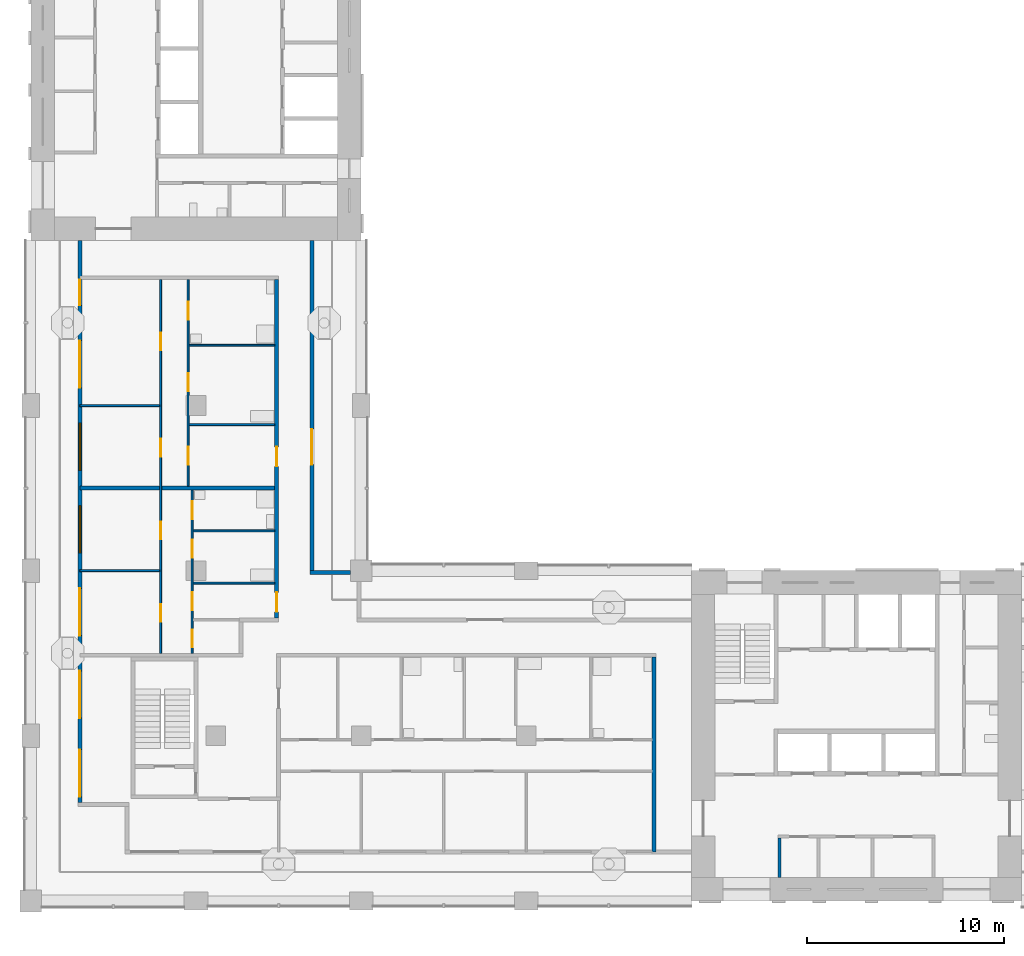
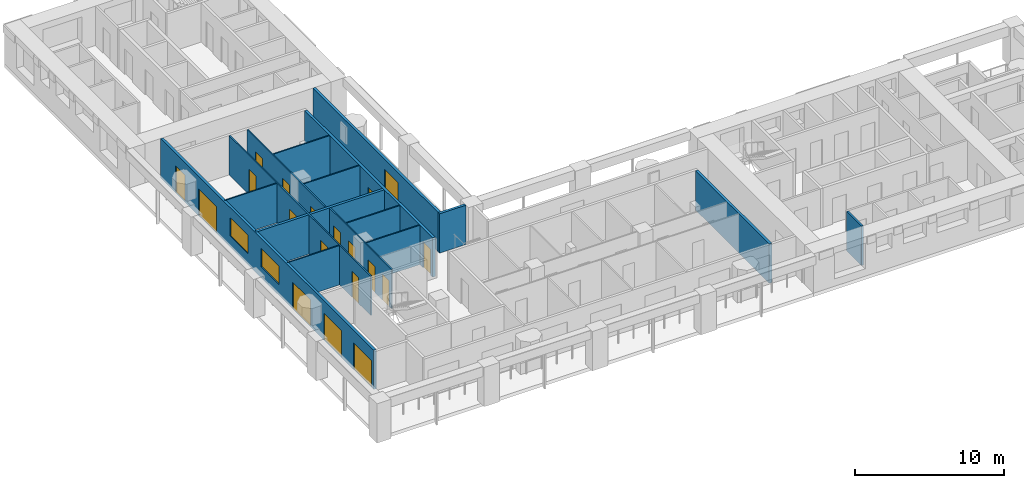
# One storey, part 3 of 13: 19 doors, 16 walls, 2 windows, 21 openings.
"""IFC4 building model written with IfcOpenShell, lengths in metres."""

from ifc_helpers import new_model, si_unit, direction, frame, frame_2d, origin, place, context, subcontext, project, spatial, rectangle, extrude, material, layer, layer_set, type_object, element, fill, save


model = new_model("IFC4")

# Units and contexts
model_context = context("Model", 3, precision=1e-05, world=origin(), true_north=direction((0.0, 1.0)))
body_context = subcontext(model_context, "Body", "Model", "MODEL_VIEW")
ifc_project = project(units=[si_unit("LENGTHUNIT", "METRE"), si_unit("AREAUNIT", "SQUARE_METRE"), si_unit("VOLUMEUNIT", "CUBIC_METRE"), si_unit("PLANEANGLEUNIT", "RADIAN"), si_unit("MASSUNIT", "GRAM", prefix="KILO")], contexts=[model_context])

# Site, building, storey
site_placement = place(None, origin())
site = spatial("IfcSite", under=ifc_project, at=site_placement, CompositionType="ELEMENT")
building_placement = place(site_placement, origin())
building = spatial("IfcBuilding", under=site, at=building_placement, Name="Vermilion Gate Residences", CompositionType="ELEMENT")
storey_placement = place(building_placement, frame((0.0, 0.0, 147.699951171875)))
storey = spatial("IfcBuildingStorey", under=building, at=storey_placement, Name="L37", CompositionType="ELEMENT", Elevation=147.699951171875)

# Wall
ifc_material_1 = material(Name="Masonry blockwork", Category="masonry")
ifc_layer_1 = layer(ifc_material_1, 0.14990234375)
ifc_layer_set_1 = layer_set([ifc_layer_1], Name="BLOCKWORK PARTITION 150 EI 120")
wall_type_1 = type_object("IfcWallType", Name="BLOCKWORK PARTITION 150 EI 120", PredefinedType="PARTITIONING", material=ifc_layer_set_1)
wall_1_placement = place(storey_placement, frame((46.47509765625, 9.60009765625, 0.0), z_axis=(0.0, 0.0, 1.0), x_axis=(0.0, 1.0, 0.0)))
element("IfcWall", 1, at=wall_1_placement, inside=storey, type_object=wall_type_1, Name="Core room partition A37-RW-W", PredefinedType="PARTITIONING", context=body_context, shape_type="SweptSolid", body=[
    extrude(rectangle(XDim=2.0, YDim=0.14990234375, at=frame_2d((1.0, 0.0))), origin(), (0.0, 0.0, 1.0), 3.219970703125),
])

# Wall, openings, doors, windows
ifc_material_2 = material(Name="Insulated steel stud wall with terracotta rainscreen", Category="masonry")
ifc_layer_2 = layer(ifc_material_2, 0.199951171875)
ifc_layer_set_2 = layer_set([ifc_layer_2], Name="EXTERNAL WALL 200 TERRACOTTA RAINSCREEN")
wall_type_2 = type_object("IfcWallType", Name="EXTERNAL WALL 200 TERRACOTTA RAINSCREEN", PredefinedType="SOLIDWALL", material=ifc_layer_set_2)
wall_2_placement = place(storey_placement, frame((10.89990234375, 42.0, 0.0), z_axis=(0.0, 0.0, 1.0), x_axis=(0.0, -1.0, 0.0)))
wall_2 = element("IfcWall", 2, at=wall_2_placement, inside=storey, type_object=wall_type_2, Name="External wall", PredefinedType="SOLIDWALL", context=body_context, shape_type="SweptSolid", body=[
    extrude(rectangle(XDim=28.60009765625, YDim=0.199951171875, at=frame_2d((14.300048828125, 0.0))), origin(), (0.0, 0.0, 1.0), 3.219970703125),
])
opening_1_placement = place(wall_2_placement, frame((25.89990234375, 0.0, 0.0)))
opening_1 = element("IfcOpeningElement", 3, at=opening_1_placement, cuts=wall_2, Name="Opening DE37001", PredefinedType="OPENING", context=body_context, shape_type="SweptSolid", body=[
    extrude(rectangle(XDim=2.39990234375, YDim=2.199951171875, at=frame_2d((1.199951171875, 1.10009765625))), frame((0.0, 0.10986328125, 0.0), z_axis=(0.0, -1.0, 0.0), x_axis=(1.0, 0.0, 0.0)), (0.0, 0.0, 1.0), 0.219970703125),
])
opening_2_placement = place(wall_2_placement, frame((21.89990234375, 0.0, 0.0)))
opening_2 = element("IfcOpeningElement", 4, at=opening_2_placement, cuts=wall_2, Name="Opening DE37002", PredefinedType="OPENING", context=body_context, shape_type="SweptSolid", body=[
    extrude(rectangle(XDim=2.39990234375, YDim=2.199951171875, at=frame_2d((1.199951171875, 1.10009765625))), frame((0.0, 0.10986328125, 0.0), z_axis=(0.0, -1.0, 0.0), x_axis=(1.0, 0.0, 0.0)), (0.0, 0.0, 1.0), 0.219970703125),
])
opening_3_placement = place(wall_2_placement, frame((17.699951171875, 0.0, 0.0)))
opening_3 = element("IfcOpeningElement", 5, at=opening_3_placement, cuts=wall_2, Name="Opening DE37003", PredefinedType="OPENING", context=body_context, shape_type="SweptSolid", body=[
    extrude(rectangle(XDim=2.39990234375, YDim=2.199951171875, at=frame_2d((1.199951171875, 1.10009765625))), frame((0.0, 0.10986328125, 0.0), z_axis=(0.0, -1.0, 0.0), x_axis=(1.0, 0.0, 0.0)), (0.0, 0.0, 1.0), 0.219970703125),
])
opening_4_placement = place(wall_2_placement, frame((13.5, 0.0, 0.89990234375)))
opening_4 = element("IfcOpeningElement", 6, at=opening_4_placement, cuts=wall_2, Name="Opening WE37004", PredefinedType="OPENING", context=body_context, shape_type="SweptSolid", body=[
    extrude(rectangle(XDim=2.39990234375, YDim=1.5, at=frame_2d((1.199951171875, 0.75))), frame((0.0, 0.10986328125, 0.0), z_axis=(0.0, -1.0, 0.0), x_axis=(1.0, 0.0, 0.0)), (0.0, 0.0, 1.0), 0.219970703125),
])
opening_5_placement = place(wall_2_placement, frame((9.300048828125, 0.0, 0.89990234375)))
opening_5 = element("IfcOpeningElement", 7, at=opening_5_placement, cuts=wall_2, Name="Opening WE37005", PredefinedType="OPENING", context=body_context, shape_type="SweptSolid", body=[
    extrude(rectangle(XDim=2.39990234375, YDim=1.5, at=frame_2d((1.199951171875, 0.75))), frame((0.0, 0.10986328125, 0.0), z_axis=(0.0, -1.0, 0.0), x_axis=(1.0, 0.0, 0.0)), (0.0, 0.0, 1.0), 0.219970703125),
])
opening_6_placement = place(wall_2_placement, frame((5.10009765625, 0.0, 0.0)))
opening_6 = element("IfcOpeningElement", 8, at=opening_6_placement, cuts=wall_2, Name="Opening DE37006", PredefinedType="OPENING", context=body_context, shape_type="SweptSolid", body=[
    extrude(rectangle(XDim=2.39990234375, YDim=2.199951171875, at=frame_2d((1.199951171875, 1.10009765625))), frame((0.0, 0.10986328125, 0.0), z_axis=(0.0, -1.0, 0.0), x_axis=(1.0, 0.0, 0.0)), (0.0, 0.0, 1.0), 0.219970703125),
])
opening_7_placement = place(wall_2_placement, frame((2.0, 0.0, 0.0)))
opening_7 = element("IfcOpeningElement", 9, at=opening_7_placement, cuts=wall_2, Name="Opening DE37007", PredefinedType="OPENING", context=body_context, shape_type="SweptSolid", body=[
    extrude(rectangle(XDim=1.300048828125, YDim=2.199951171875, at=frame_2d((0.64990234375, 1.10009765625))), frame((0.0, 0.10986328125, 0.0), z_axis=(0.0, -1.0, 0.0), x_axis=(1.0, 0.0, 0.0)), (0.0, 0.0, 1.0), 0.219970703125),
])
ifc_material_3 = material(Name="Aluminium and clear glass", Category="aluminium")
door_type_1 = type_object("IfcDoorType", Name="SLIDING GLAZED DOOR 1300 X 2200", OperationType="DOUBLE_DOOR_SLIDING", PredefinedType="DOOR", material=ifc_material_3)
door_1_placement = place(opening_7_placement, origin())
door_1 = element("IfcDoor", 10, at=door_1_placement, inside=storey, type_object=door_type_1, Name="Loggia sliding door", OperationType="DOUBLE_DOOR_SLIDING", OverallHeight=2.199951171875, OverallWidth=1.300048828125, PredefinedType="DOOR", context=body_context, shape_type="SweptSolid", body=[
    extrude(rectangle(XDim=1.300048828125, YDim=2.199951171875, at=frame_2d((0.64990234375, 1.10009765625))), frame((0.0, 0.02490234375, 0.0), z_axis=(0.0, -1.0, 0.0), x_axis=(1.0, 0.0, 0.0)), (0.0, 0.0, 1.0), 0.050048828125),
])
fill(opening_7, door_1)
ifc_material_4 = material(Name="Aluminium and clear glass", Category="aluminium")
door_type_2 = type_object("IfcDoorType", Name="SLIDING GLAZED DOOR 2400 X 2200", OperationType="DOUBLE_DOOR_SLIDING", PredefinedType="DOOR", material=ifc_material_4)
door_2_placement = place(opening_1_placement, origin())
door_2 = element("IfcDoor", 11, at=door_2_placement, inside=storey, type_object=door_type_2, Name="Loggia sliding door", OperationType="DOUBLE_DOOR_SLIDING", OverallHeight=2.199951171875, OverallWidth=2.39990234375, PredefinedType="DOOR", context=body_context, shape_type="SweptSolid", body=[
    extrude(rectangle(XDim=2.39990234375, YDim=2.199951171875, at=frame_2d((1.199951171875, 1.10009765625))), frame((0.0, 0.02490234375, 0.0), z_axis=(0.0, -1.0, 0.0), x_axis=(1.0, 0.0, 0.0)), (0.0, 0.0, 1.0), 0.050048828125),
])
fill(opening_1, door_2)
door_3_placement = place(opening_2_placement, origin())
door_3 = element("IfcDoor", 12, at=door_3_placement, inside=storey, type_object=door_type_2, Name="Loggia sliding door", OperationType="DOUBLE_DOOR_SLIDING", OverallHeight=2.199951171875, OverallWidth=2.39990234375, PredefinedType="DOOR", context=body_context, shape_type="SweptSolid", body=[
    extrude(rectangle(XDim=2.39990234375, YDim=2.199951171875, at=frame_2d((1.199951171875, 1.10009765625))), frame((0.0, 0.02490234375, 0.0), z_axis=(0.0, -1.0, 0.0), x_axis=(1.0, 0.0, 0.0)), (0.0, 0.0, 1.0), 0.050048828125),
])
fill(opening_2, door_3)
door_4_placement = place(opening_3_placement, origin())
door_4 = element("IfcDoor", 13, at=door_4_placement, inside=storey, type_object=door_type_2, Name="Loggia sliding door", OperationType="DOUBLE_DOOR_SLIDING", OverallHeight=2.199951171875, OverallWidth=2.39990234375, PredefinedType="DOOR", context=body_context, shape_type="SweptSolid", body=[
    extrude(rectangle(XDim=2.39990234375, YDim=2.199951171875, at=frame_2d((1.199951171875, 1.10009765625))), frame((0.0, 0.02490234375, 0.0), z_axis=(0.0, -1.0, 0.0), x_axis=(1.0, 0.0, 0.0)), (0.0, 0.0, 1.0), 0.050048828125),
])
fill(opening_3, door_4)
door_5_placement = place(opening_6_placement, origin())
door_5 = element("IfcDoor", 14, at=door_5_placement, inside=storey, type_object=door_type_2, Name="Loggia sliding door", OperationType="DOUBLE_DOOR_SLIDING", OverallHeight=2.199951171875, OverallWidth=2.39990234375, PredefinedType="DOOR", context=body_context, shape_type="SweptSolid", body=[
    extrude(rectangle(XDim=2.39990234375, YDim=2.199951171875, at=frame_2d((1.199951171875, 1.10009765625))), frame((0.0, 0.02490234375, 0.0), z_axis=(0.0, -1.0, 0.0), x_axis=(1.0, 0.0, 0.0)), (0.0, 0.0, 1.0), 0.050048828125),
])
fill(opening_6, door_5)
ifc_material_5 = material(Name="Aluminium and clear glass", Category="aluminium")
window_type = type_object("IfcWindowType", Name="WINDOW 2400 X 1500", PartitioningType="SINGLE_PANEL", PredefinedType="WINDOW", material=ifc_material_5)
window_1_placement = place(opening_4_placement, origin())
window_1 = element("IfcWindow", 15, at=window_1_placement, inside=storey, type_object=window_type, Name="Window", OverallHeight=1.5, OverallWidth=2.39990234375, PartitioningType="SINGLE_PANEL", PredefinedType="WINDOW", context=body_context, shape_type="SweptSolid", body=[
    extrude(rectangle(XDim=2.39990234375, YDim=1.5, at=frame_2d((1.199951171875, 0.75))), frame((0.0, 0.030029296875, 0.0), z_axis=(0.0, -1.0, 0.0), x_axis=(1.0, 0.0, 0.0)), (0.0, 0.0, 1.0), 0.06005859375),
])
fill(opening_4, window_1)
window_2_placement = place(opening_5_placement, origin())
window_2 = element("IfcWindow", 16, at=window_2_placement, inside=storey, type_object=window_type, Name="Window", OverallHeight=1.5, OverallWidth=2.39990234375, PartitioningType="SINGLE_PANEL", PredefinedType="WINDOW", context=body_context, shape_type="SweptSolid", body=[
    extrude(rectangle(XDim=2.39990234375, YDim=1.5, at=frame_2d((1.199951171875, 0.75))), frame((0.0, 0.030029296875, 0.0), z_axis=(0.0, -1.0, 0.0), x_axis=(1.0, 0.0, 0.0)), (0.0, 0.0, 1.0), 0.06005859375),
])
fill(opening_5, window_2)

# Wall
wall_3_placement = place(storey_placement, frame((24.64990234375, 25.10009765625, 0.0), z_axis=(0.0, 0.0, 1.0), x_axis=(-1.0, 0.0, 0.0)))
element("IfcWall", 17, at=wall_3_placement, inside=storey, type_object=wall_type_2, Name="External wall", PredefinedType="SOLIDWALL", context=body_context, shape_type="SweptSolid", body=[
    extrude(rectangle(XDim=2.0498046875, YDim=0.199951171875, at=frame_2d((1.02490234375, 0.0))), origin(), (0.0, 0.0, 1.0), 3.219970703125),
])

# Wall, opening, door
wall_4_placement = place(storey_placement, frame((22.699951171875, 25.199951171875, 0.0), z_axis=(0.0, 0.0, 1.0), x_axis=(0.0, 1.0, 0.0)))
wall_4 = element("IfcWall", 18, at=wall_4_placement, inside=storey, type_object=wall_type_2, Name="External wall", PredefinedType="SOLIDWALL", context=body_context, shape_type="SweptSolid", body=[
    extrude(rectangle(XDim=16.800048828125, YDim=0.199951171875, at=frame_2d((8.39990234375, 0.0))), origin(), (0.0, 0.0, 1.0), 3.219970703125),
])
opening_8_placement = place(wall_4_placement, frame((5.39990234375, 0.0, 0.0)))
opening_8 = element("IfcOpeningElement", 19, at=opening_8_placement, cuts=wall_4, Name="Opening DE37021", PredefinedType="OPENING", context=body_context, shape_type="SweptSolid", body=[
    extrude(rectangle(XDim=1.800048828125, YDim=2.39990234375, at=frame_2d((0.89990234375, 1.199951171875))), frame((0.0, 0.10986328125, 0.0), z_axis=(0.0, -1.0, 0.0), x_axis=(1.0, 0.0, 0.0)), (0.0, 0.0, 1.0), 0.219970703125),
])
ifc_material_6 = material(Name="Aluminium and clear glass", Category="aluminium")
door_type_3 = type_object("IfcDoorType", Name="GLAZED EXTERNAL DOOR 1800 X 2400", OperationType="DOUBLE_DOOR_SINGLE_SWING", PredefinedType="DOOR", material=ifc_material_6)
door_6_placement = place(opening_8_placement, frame((1.800048828125, 0.0, 0.0), z_axis=(0.0, 0.0, 1.0), x_axis=(-1.0, 0.0, 0.0)))
door_6 = element("IfcDoor", 20, at=door_6_placement, inside=storey, type_object=door_type_3, Name="Gallery door", OperationType="DOUBLE_DOOR_SINGLE_SWING", OverallHeight=2.39990234375, OverallWidth=1.800048828125, PredefinedType="DOOR", context=body_context, shape_type="SweptSolid", body=[
    extrude(rectangle(XDim=1.800048828125, YDim=2.39990234375, at=frame_2d((0.89990234375, 1.199951171875))), frame((0.0, 0.02490234375, 0.0), z_axis=(0.0, -1.0, 0.0), x_axis=(1.0, 0.0, 0.0)), (0.0, 0.0, 1.0), 0.050048828125),
])
fill(opening_8, door_6)

# Walls
ifc_material_7 = material(Name="Plasterboard on steel studs", Category="steel")
ifc_layer_3 = layer(ifc_material_7, 0.10009765625)
ifc_layer_set_3 = layer_set([ifc_layer_3], Name="PARTITION 100")
wall_type_3 = type_object("IfcWallType", Name="PARTITION 100", PredefinedType="PARTITIONING", material=ifc_layer_set_3)
wall_5_placement = place(storey_placement, frame((16.64990234375, 24.56298828125, 0.0), z_axis=(0.0, 0.0, 1.0), x_axis=(1.0, 0.0, 0.0)))
element("IfcWall", 21, at=wall_5_placement, inside=storey, type_object=wall_type_3, Name="Partition", PredefinedType="PARTITIONING", context=body_context, shape_type="SweptSolid", body=[
    extrude(rectangle(XDim=4.150146484375, YDim=0.10009765625, at=frame_2d((2.0751953125, 0.0))), origin(), (0.0, 0.0, 1.0), 3.219970703125),
])
wall_6_placement = place(storey_placement, frame((10.89990234375, 25.199951171875, 0.0), z_axis=(0.0, 0.0, 1.0), x_axis=(1.0, 0.0, 0.0)))
element("IfcWall", 22, at=wall_6_placement, inside=storey, type_object=wall_type_3, Name="Partition", PredefinedType="PARTITIONING", context=body_context, shape_type="SweptSolid", body=[
    extrude(rectangle(XDim=4.050048828125, YDim=0.10009765625, at=frame_2d((2.02490234375, 0.0))), origin(), (0.0, 0.0, 1.0), 3.219970703125),
])
wall_7_placement = place(storey_placement, frame((16.64990234375, 27.22509765625, 0.0), z_axis=(0.0, 0.0, 1.0), x_axis=(1.0, 0.0, 0.0)))
element("IfcWall", 23, at=wall_7_placement, inside=storey, type_object=wall_type_3, Name="Partition", PredefinedType="PARTITIONING", context=body_context, shape_type="SweptSolid", body=[
    extrude(rectangle(XDim=4.150146484375, YDim=0.10009765625, at=frame_2d((2.0751953125, 0.0))), origin(), (0.0, 0.0, 1.0), 3.219970703125),
])
wall_8_placement = place(storey_placement, frame((16.449951171875, 32.633056640625, 0.0), z_axis=(0.0, 0.0, 1.0), x_axis=(1.0, 0.0, 0.0)))
element("IfcWall", 24, at=wall_8_placement, inside=storey, type_object=wall_type_3, Name="Partition", PredefinedType="PARTITIONING", context=body_context, shape_type="SweptSolid", body=[
    extrude(rectangle(XDim=4.35009765625, YDim=0.10009765625, at=frame_2d((2.175048828125, 0.0))), origin(), (0.0, 0.0, 1.0), 3.219970703125),
])
wall_9_placement = place(storey_placement, frame((10.89990234375, 33.60009765625, 0.0), z_axis=(0.0, 0.0, 1.0), x_axis=(1.0, 0.0, 0.0)))
element("IfcWall", 25, at=wall_9_placement, inside=storey, type_object=wall_type_3, Name="Partition", PredefinedType="PARTITIONING", context=body_context, shape_type="SweptSolid", body=[
    extrude(rectangle(XDim=4.050048828125, YDim=0.10009765625, at=frame_2d((2.02490234375, 0.0))), origin(), (0.0, 0.0, 1.0), 3.219970703125),
])
wall_10_placement = place(storey_placement, frame((16.449951171875, 36.6669921875, 0.0), z_axis=(0.0, 0.0, 1.0), x_axis=(1.0, 0.0, 0.0)))
element("IfcWall", 26, at=wall_10_placement, inside=storey, type_object=wall_type_3, Name="Partition", PredefinedType="PARTITIONING", context=body_context, shape_type="SweptSolid", body=[
    extrude(rectangle(XDim=4.35009765625, YDim=0.10009765625, at=frame_2d((2.175048828125, 0.0))), origin(), (0.0, 0.0, 1.0), 3.219970703125),
])

# Wall, openings, doors
wall_11_placement = place(storey_placement, frame((15.0, 21.0, 0.0), z_axis=(0.0, 0.0, 1.0), x_axis=(0.0, 1.0, 0.0)))
wall_11 = element("IfcWall", 27, at=wall_11_placement, inside=storey, type_object=wall_type_3, Name="Partition", PredefinedType="PARTITIONING", context=body_context, shape_type="SweptSolid", body=[
    extrude(rectangle(XDim=19.0, YDim=0.10009765625, at=frame_2d((9.5, 0.0))), origin(), (0.0, 0.0, 1.0), 3.219970703125),
])
opening_9_placement = place(wall_11_placement, frame((1.60009765625, 0.0, 0.0)))
opening_9 = element("IfcOpeningElement", 28, at=opening_9_placement, cuts=wall_11, Name="Opening DA37012", PredefinedType="OPENING", context=body_context, shape_type="SweptSolid", body=[
    extrude(rectangle(XDim=0.89990234375, YDim=2.10009765625, at=frame_2d((0.449951171875, 1.050048828125))), frame((0.0, 0.06005859375, 0.0), z_axis=(0.0, -1.0, 0.0), x_axis=(1.0, 0.0, 0.0)), (0.0, 0.0, 1.0), 0.1201171875),
])
opening_10_placement = place(wall_11_placement, frame((5.800048828125, 0.0, 0.0)))
opening_10 = element("IfcOpeningElement", 29, at=opening_10_placement, cuts=wall_11, Name="Opening DA37013", PredefinedType="OPENING", context=body_context, shape_type="SweptSolid", body=[
    extrude(rectangle(XDim=0.89990234375, YDim=2.10009765625, at=frame_2d((0.449951171875, 1.050048828125))), frame((0.0, 0.06005859375, 0.0), z_axis=(0.0, -1.0, 0.0), x_axis=(1.0, 0.0, 0.0)), (0.0, 0.0, 1.0), 0.1201171875),
])
opening_11_placement = place(wall_11_placement, frame((10.0, 0.0, 0.0)))
opening_11 = element("IfcOpeningElement", 30, at=opening_11_placement, cuts=wall_11, Name="Opening DA37014", PredefinedType="OPENING", context=body_context, shape_type="SweptSolid", body=[
    extrude(rectangle(XDim=0.89990234375, YDim=2.10009765625, at=frame_2d((0.449951171875, 1.050048828125))), frame((0.0, 0.06005859375, 0.0), z_axis=(0.0, -1.0, 0.0), x_axis=(1.0, 0.0, 0.0)), (0.0, 0.0, 1.0), 0.1201171875),
])
opening_12_placement = place(wall_11_placement, frame((15.39990234375, 0.0, 0.0)))
opening_12 = element("IfcOpeningElement", 31, at=opening_12_placement, cuts=wall_11, Name="Opening DA37015", PredefinedType="OPENING", context=body_context, shape_type="SweptSolid", body=[
    extrude(rectangle(XDim=0.89990234375, YDim=2.10009765625, at=frame_2d((0.449951171875, 1.050048828125))), frame((0.0, 0.06005859375, 0.0), z_axis=(0.0, -1.0, 0.0), x_axis=(1.0, 0.0, 0.0)), (0.0, 0.0, 1.0), 0.1201171875),
])
ifc_material_8 = material(Name="Timber", Category="wood")
door_type_4 = type_object("IfcDoorType", Name="INTERIOR DOOR 900 X 2100", OperationType="SINGLE_SWING_LEFT", PredefinedType="DOOR", material=ifc_material_8)
door_7_placement = place(opening_9_placement, origin())
door_7 = element("IfcDoor", 32, at=door_7_placement, inside=storey, type_object=door_type_4, Name="Interior door", OperationType="SINGLE_SWING_LEFT", OverallHeight=2.10009765625, OverallWidth=0.89990234375, PredefinedType="DOOR", context=body_context, shape_type="SweptSolid", body=[
    extrude(rectangle(XDim=0.89990234375, YDim=2.10009765625, at=frame_2d((0.449951171875, 1.050048828125))), frame((0.0, 0.02490234375, 0.0), z_axis=(0.0, -1.0, 0.0), x_axis=(1.0, 0.0, 0.0)), (0.0, 0.0, 1.0), 0.050048828125),
])
fill(opening_9, door_7)
door_8_placement = place(opening_10_placement, origin())
door_8 = element("IfcDoor", 33, at=door_8_placement, inside=storey, type_object=door_type_4, Name="Interior door", OperationType="SINGLE_SWING_LEFT", OverallHeight=2.10009765625, OverallWidth=0.89990234375, PredefinedType="DOOR", context=body_context, shape_type="SweptSolid", body=[
    extrude(rectangle(XDim=0.89990234375, YDim=2.10009765625, at=frame_2d((0.449951171875, 1.050048828125))), frame((0.0, 0.02490234375, 0.0), z_axis=(0.0, -1.0, 0.0), x_axis=(1.0, 0.0, 0.0)), (0.0, 0.0, 1.0), 0.050048828125),
])
fill(opening_10, door_8)
door_9_placement = place(opening_11_placement, origin())
door_9 = element("IfcDoor", 34, at=door_9_placement, inside=storey, type_object=door_type_4, Name="Interior door", OperationType="SINGLE_SWING_LEFT", OverallHeight=2.10009765625, OverallWidth=0.89990234375, PredefinedType="DOOR", context=body_context, shape_type="SweptSolid", body=[
    extrude(rectangle(XDim=0.89990234375, YDim=2.10009765625, at=frame_2d((0.449951171875, 1.050048828125))), frame((0.0, 0.02490234375, 0.0), z_axis=(0.0, -1.0, 0.0), x_axis=(1.0, 0.0, 0.0)), (0.0, 0.0, 1.0), 0.050048828125),
])
fill(opening_11, door_9)
door_10_placement = place(opening_12_placement, origin())
door_10 = element("IfcDoor", 35, at=door_10_placement, inside=storey, type_object=door_type_4, Name="Interior door", OperationType="SINGLE_SWING_RIGHT", OverallHeight=2.10009765625, OverallWidth=0.89990234375, PredefinedType="DOOR", context=body_context, shape_type="SweptSolid", body=[
    extrude(rectangle(XDim=0.89990234375, YDim=2.10009765625, at=frame_2d((0.449951171875, 1.050048828125))), frame((0.0, 0.02490234375, 0.0), z_axis=(0.0, -1.0, 0.0), x_axis=(1.0, 0.0, 0.0)), (0.0, 0.0, 1.0), 0.050048828125),
])
fill(opening_12, door_10)

wall_12_placement = place(storey_placement, frame((16.39990234375, 29.5, 0.0), z_axis=(0.0, 0.0, 1.0), x_axis=(0.0, 1.0, 0.0)))
wall_12 = element("IfcWall", 36, at=wall_12_placement, inside=storey, type_object=wall_type_3, Name="Partition", PredefinedType="PARTITIONING", context=body_context, shape_type="SweptSolid", body=[
    extrude(rectangle(XDim=10.5, YDim=0.10009765625, at=frame_2d((5.25, 0.0))), origin(), (0.0, 0.0, 1.0), 3.219970703125),
])
opening_13_placement = place(wall_12_placement, frame((1.10009765625, 0.0, 0.0)))
opening_13 = element("IfcOpeningElement", 37, at=opening_13_placement, cuts=wall_12, Name="Opening DA37016", PredefinedType="OPENING", context=body_context, shape_type="SweptSolid", body=[
    extrude(rectangle(XDim=0.89990234375, YDim=2.10009765625, at=frame_2d((0.449951171875, 1.050048828125))), frame((0.0, 0.06005859375, 0.0), z_axis=(0.0, -1.0, 0.0), x_axis=(1.0, 0.0, 0.0)), (0.0, 0.0, 1.0), 0.1201171875),
])
opening_14_placement = place(wall_12_placement, frame((4.8330078125, 0.0, 0.0)))
opening_14 = element("IfcOpeningElement", 38, at=opening_14_placement, cuts=wall_12, Name="Opening DA37017", PredefinedType="OPENING", context=body_context, shape_type="SweptSolid", body=[
    extrude(rectangle(XDim=0.89990234375, YDim=2.10009765625, at=frame_2d((0.449951171875, 1.050048828125))), frame((0.0, 0.06005859375, 0.0), z_axis=(0.0, -1.0, 0.0), x_axis=(1.0, 0.0, 0.0)), (0.0, 0.0, 1.0), 0.1201171875),
])
opening_15_placement = place(wall_12_placement, frame((8.467041015625, 0.0, 0.0)))
opening_15 = element("IfcOpeningElement", 39, at=opening_15_placement, cuts=wall_12, Name="Opening DA37018", PredefinedType="OPENING", context=body_context, shape_type="SweptSolid", body=[
    extrude(rectangle(XDim=0.89990234375, YDim=2.10009765625, at=frame_2d((0.449951171875, 1.050048828125))), frame((0.0, 0.06005859375, 0.0), z_axis=(0.0, -1.0, 0.0), x_axis=(1.0, 0.0, 0.0)), (0.0, 0.0, 1.0), 0.1201171875),
])
door_11_placement = place(opening_13_placement, frame((0.89990234375, 0.0, 0.0), z_axis=(0.0, 0.0, 1.0), x_axis=(-1.0, 0.0, 0.0)))
door_11 = element("IfcDoor", 40, at=door_11_placement, inside=storey, type_object=door_type_4, Name="Interior door", OperationType="SINGLE_SWING_LEFT", OverallHeight=2.10009765625, OverallWidth=0.89990234375, PredefinedType="DOOR", context=body_context, shape_type="SweptSolid", body=[
    extrude(rectangle(XDim=0.89990234375, YDim=2.10009765625, at=frame_2d((0.449951171875, 1.050048828125))), frame((0.0, 0.02490234375, 0.0), z_axis=(0.0, -1.0, 0.0), x_axis=(1.0, 0.0, 0.0)), (0.0, 0.0, 1.0), 0.050048828125),
])
fill(opening_13, door_11)
door_12_placement = place(opening_14_placement, frame((0.89990234375, 0.0, 0.0), z_axis=(0.0, 0.0, 1.0), x_axis=(-1.0, 0.0, 0.0)))
door_12 = element("IfcDoor", 41, at=door_12_placement, inside=storey, type_object=door_type_4, Name="Interior door", OperationType="SINGLE_SWING_RIGHT", OverallHeight=2.10009765625, OverallWidth=0.89990234375, PredefinedType="DOOR", context=body_context, shape_type="SweptSolid", body=[
    extrude(rectangle(XDim=0.89990234375, YDim=2.10009765625, at=frame_2d((0.449951171875, 1.050048828125))), frame((0.0, 0.02490234375, 0.0), z_axis=(0.0, -1.0, 0.0), x_axis=(1.0, 0.0, 0.0)), (0.0, 0.0, 1.0), 0.050048828125),
])
fill(opening_14, door_12)
door_13_placement = place(opening_15_placement, frame((0.89990234375, 0.0, 0.0), z_axis=(0.0, 0.0, 1.0), x_axis=(-1.0, 0.0, 0.0)))
door_13 = element("IfcDoor", 42, at=door_13_placement, inside=storey, type_object=door_type_4, Name="Interior door", OperationType="SINGLE_SWING_RIGHT", OverallHeight=2.10009765625, OverallWidth=0.89990234375, PredefinedType="DOOR", context=body_context, shape_type="SweptSolid", body=[
    extrude(rectangle(XDim=0.89990234375, YDim=2.10009765625, at=frame_2d((0.449951171875, 1.050048828125))), frame((0.0, 0.02490234375, 0.0), z_axis=(0.0, -1.0, 0.0), x_axis=(1.0, 0.0, 0.0)), (0.0, 0.0, 1.0), 0.050048828125),
])
fill(opening_15, door_13)

wall_13_placement = place(storey_placement, frame((16.60009765625, 21.0, 0.0), z_axis=(0.0, 0.0, 1.0), x_axis=(0.0, 1.0, 0.0)))
wall_13 = element("IfcWall", 43, at=wall_13_placement, inside=storey, type_object=wall_type_3, Name="Partition", PredefinedType="PARTITIONING", context=body_context, shape_type="SweptSolid", body=[
    extrude(rectangle(XDim=8.300048828125, YDim=0.10009765625, at=frame_2d((4.14990234375, 0.0))), origin(), (0.0, 0.0, 1.0), 3.219970703125),
])
opening_16_placement = place(wall_13_placement, frame((2.199951171875, 0.0, 0.0)))
opening_16 = element("IfcOpeningElement", 44, at=opening_16_placement, cuts=wall_13, Name="Opening DA37019", PredefinedType="OPENING", context=body_context, shape_type="SweptSolid", body=[
    extrude(rectangle(XDim=0.89990234375, YDim=2.10009765625, at=frame_2d((0.449951171875, 1.050048828125))), frame((0.0, 0.06005859375, 0.0), z_axis=(0.0, -1.0, 0.0), x_axis=(1.0, 0.0, 0.0)), (0.0, 0.0, 1.0), 0.1201171875),
])
opening_17_placement = place(wall_13_placement, frame((0.300048828125, 0.0, 0.0)))
opening_17 = element("IfcOpeningElement", 45, at=opening_17_placement, cuts=wall_13, Name="Opening DA37020", PredefinedType="OPENING", context=body_context, shape_type="SweptSolid", body=[
    extrude(rectangle(XDim=0.89990234375, YDim=2.10009765625, at=frame_2d((0.449951171875, 1.050048828125))), frame((0.0, 0.06005859375, 0.0), z_axis=(0.0, -1.0, 0.0), x_axis=(1.0, 0.0, 0.0)), (0.0, 0.0, 1.0), 0.1201171875),
])
opening_18_placement = place(wall_13_placement, frame((4.863037109375, 0.0, 0.0)))
opening_18 = element("IfcOpeningElement", 46, at=opening_18_placement, cuts=wall_13, Name="Opening DA37021", PredefinedType="OPENING", context=body_context, shape_type="SweptSolid", body=[
    extrude(rectangle(XDim=0.89990234375, YDim=2.10009765625, at=frame_2d((0.449951171875, 1.050048828125))), frame((0.0, 0.06005859375, 0.0), z_axis=(0.0, -1.0, 0.0), x_axis=(1.0, 0.0, 0.0)), (0.0, 0.0, 1.0), 0.1201171875),
])
opening_19_placement = place(wall_13_placement, frame((6.824951171875, 0.0, 0.0)))
opening_19 = element("IfcOpeningElement", 47, at=opening_19_placement, cuts=wall_13, Name="Opening DA37022", PredefinedType="OPENING", context=body_context, shape_type="SweptSolid", body=[
    extrude(rectangle(XDim=0.89990234375, YDim=2.10009765625, at=frame_2d((0.449951171875, 1.050048828125))), frame((0.0, 0.06005859375, 0.0), z_axis=(0.0, -1.0, 0.0), x_axis=(1.0, 0.0, 0.0)), (0.0, 0.0, 1.0), 0.1201171875),
])
door_14_placement = place(opening_16_placement, frame((0.89990234375, 0.0, 0.0), z_axis=(0.0, 0.0, 1.0), x_axis=(-1.0, 0.0, 0.0)))
door_14 = element("IfcDoor", 48, at=door_14_placement, inside=storey, type_object=door_type_4, Name="Interior door", OperationType="SINGLE_SWING_LEFT", OverallHeight=2.10009765625, OverallWidth=0.89990234375, PredefinedType="DOOR", context=body_context, shape_type="SweptSolid", body=[
    extrude(rectangle(XDim=0.89990234375, YDim=2.10009765625, at=frame_2d((0.449951171875, 1.050048828125))), frame((0.0, 0.02490234375, 0.0), z_axis=(0.0, -1.0, 0.0), x_axis=(1.0, 0.0, 0.0)), (0.0, 0.0, 1.0), 0.050048828125),
])
fill(opening_16, door_14)
door_15_placement = place(opening_17_placement, frame((0.89990234375, 0.0, 0.0), z_axis=(0.0, 0.0, 1.0), x_axis=(-1.0, 0.0, 0.0)))
door_15 = element("IfcDoor", 49, at=door_15_placement, inside=storey, type_object=door_type_4, Name="Interior door", OperationType="SINGLE_SWING_RIGHT", OverallHeight=2.10009765625, OverallWidth=0.89990234375, PredefinedType="DOOR", context=body_context, shape_type="SweptSolid", body=[
    extrude(rectangle(XDim=0.89990234375, YDim=2.10009765625, at=frame_2d((0.449951171875, 1.050048828125))), frame((0.0, 0.02490234375, 0.0), z_axis=(0.0, -1.0, 0.0), x_axis=(1.0, 0.0, 0.0)), (0.0, 0.0, 1.0), 0.050048828125),
])
fill(opening_17, door_15)
door_16_placement = place(opening_18_placement, frame((0.89990234375, 0.0, 0.0), z_axis=(0.0, 0.0, 1.0), x_axis=(-1.0, 0.0, 0.0)))
door_16 = element("IfcDoor", 50, at=door_16_placement, inside=storey, type_object=door_type_4, Name="Interior door", OperationType="SINGLE_SWING_RIGHT", OverallHeight=2.10009765625, OverallWidth=0.89990234375, PredefinedType="DOOR", context=body_context, shape_type="SweptSolid", body=[
    extrude(rectangle(XDim=0.89990234375, YDim=2.10009765625, at=frame_2d((0.449951171875, 1.050048828125))), frame((0.0, 0.02490234375, 0.0), z_axis=(0.0, -1.0, 0.0), x_axis=(1.0, 0.0, 0.0)), (0.0, 0.0, 1.0), 0.050048828125),
])
fill(opening_18, door_16)
door_17_placement = place(opening_19_placement, frame((0.89990234375, 0.0, 0.0), z_axis=(0.0, 0.0, 1.0), x_axis=(-1.0, 0.0, 0.0)))
door_17 = element("IfcDoor", 51, at=door_17_placement, inside=storey, type_object=door_type_4, Name="Interior door", OperationType="SINGLE_SWING_LEFT", OverallHeight=2.10009765625, OverallWidth=0.89990234375, PredefinedType="DOOR", context=body_context, shape_type="SweptSolid", body=[
    extrude(rectangle(XDim=0.89990234375, YDim=2.10009765625, at=frame_2d((0.449951171875, 1.050048828125))), frame((0.0, 0.02490234375, 0.0), z_axis=(0.0, -1.0, 0.0), x_axis=(1.0, 0.0, 0.0)), (0.0, 0.0, 1.0), 0.050048828125),
])
fill(opening_19, door_17)

# Wall
ifc_material_9 = material(Name="Fire-rated plasterboard on steel studs", Category="steel")
ifc_layer_4 = layer(ifc_material_9, 0.199951171875)
ifc_layer_set_4 = layer_set([ifc_layer_4], Name="PARTY WALL 200 EI 120")
wall_type_4 = type_object("IfcWallType", Name="PARTY WALL 200 EI 120", PredefinedType="PARTITIONING", material=ifc_layer_set_4)
wall_14_placement = place(storey_placement, frame((10.89990234375, 29.39990234375, 0.0), z_axis=(0.0, 0.0, 1.0), x_axis=(1.0, 0.0, 0.0)))
element("IfcWall", 52, at=wall_14_placement, inside=storey, type_object=wall_type_4, Name="Party and corridor wall", PredefinedType="PARTITIONING", context=body_context, shape_type="SweptSolid", body=[
    extrude(rectangle(XDim=9.900146484375, YDim=0.199951171875, at=frame_2d((4.9501953125, 0.0))), origin(), (0.0, 0.0, 1.0), 3.219970703125),
])

# Wall, openings, doors
wall_15_placement = place(storey_placement, frame((20.89990234375, 22.800048828125, 0.0), z_axis=(0.0, 0.0, 1.0), x_axis=(0.0, 1.0, 0.0)))
wall_15 = element("IfcWall", 53, at=wall_15_placement, inside=storey, type_object=wall_type_4, Name="Party and corridor wall", PredefinedType="PARTITIONING", context=body_context, shape_type="SweptSolid", body=[
    extrude(rectangle(XDim=17.199951171875, YDim=0.199951171875, at=frame_2d((8.60009765625, 0.0))), origin(), (0.0, 0.0, 1.0), 3.219970703125),
])
opening_20_placement = place(wall_15_placement, frame((0.300048828125, 0.0, 0.0)))
opening_20 = element("IfcOpeningElement", 54, at=opening_20_placement, cuts=wall_15, Name="Opening DA37023", PredefinedType="OPENING", context=body_context, shape_type="SweptSolid", body=[
    extrude(rectangle(XDim=1.0, YDim=2.10009765625, at=frame_2d((0.5, 1.050048828125))), frame((0.0, 0.10986328125, 0.0), z_axis=(0.0, -1.0, 0.0), x_axis=(1.0, 0.0, 0.0)), (0.0, 0.0, 1.0), 0.219970703125),
])
opening_21_placement = place(wall_15_placement, frame((7.699951171875, 0.0, 0.0)))
opening_21 = element("IfcOpeningElement", 55, at=opening_21_placement, cuts=wall_15, Name="Opening DA37024", PredefinedType="OPENING", context=body_context, shape_type="SweptSolid", body=[
    extrude(rectangle(XDim=1.0, YDim=2.10009765625, at=frame_2d((0.5, 1.050048828125))), frame((0.0, 0.10986328125, 0.0), z_axis=(0.0, -1.0, 0.0), x_axis=(1.0, 0.0, 0.0)), (0.0, 0.0, 1.0), 0.219970703125),
])
ifc_material_10 = material(Name="Steel", Category="steel")
door_type_5 = type_object("IfcDoorType", Name="ENTRANCE DOOR 1000 X 2100 FD30", OperationType="SINGLE_SWING_LEFT", PredefinedType="DOOR", material=ifc_material_10)
door_18_placement = place(opening_20_placement, origin())
door_18 = element("IfcDoor", 56, at=door_18_placement, inside=storey, type_object=door_type_5, Name="Entrance door", OperationType="SINGLE_SWING_LEFT", OverallHeight=2.10009765625, OverallWidth=1.0, PredefinedType="DOOR", context=body_context, shape_type="SweptSolid", body=[
    extrude(rectangle(XDim=1.0, YDim=2.10009765625, at=frame_2d((0.5, 1.050048828125))), frame((0.0, 0.02490234375, 0.0), z_axis=(0.0, -1.0, 0.0), x_axis=(1.0, 0.0, 0.0)), (0.0, 0.0, 1.0), 0.050048828125),
])
fill(opening_20, door_18)
door_19_placement = place(opening_21_placement, origin())
door_19 = element("IfcDoor", 57, at=door_19_placement, inside=storey, type_object=door_type_5, Name="Entrance door", OperationType="SINGLE_SWING_LEFT", OverallHeight=2.10009765625, OverallWidth=1.0, PredefinedType="DOOR", context=body_context, shape_type="SweptSolid", body=[
    extrude(rectangle(XDim=1.0, YDim=2.10009765625, at=frame_2d((0.5, 1.050048828125))), frame((0.0, 0.02490234375, 0.0), z_axis=(0.0, -1.0, 0.0), x_axis=(1.0, 0.0, 0.0)), (0.0, 0.0, 1.0), 0.050048828125),
])
fill(opening_21, door_19)

# Wall
wall_16_placement = place(storey_placement, frame((40.10009765625, 10.89990234375, 0.0), z_axis=(0.0, 0.0, 1.0), x_axis=(0.0, 1.0, 0.0)))
element("IfcWall", 58, at=wall_16_placement, inside=storey, type_object=wall_type_4, Name="Party and corridor wall", PredefinedType="PARTITIONING", context=body_context, shape_type="SweptSolid", body=[
    extrude(rectangle(XDim=9.900146484375, YDim=0.199951171875, at=frame_2d((4.9501953125, 0.0))), origin(), (0.0, 0.0, 1.0), 3.219970703125),
])

save(model, "model.ifc")
